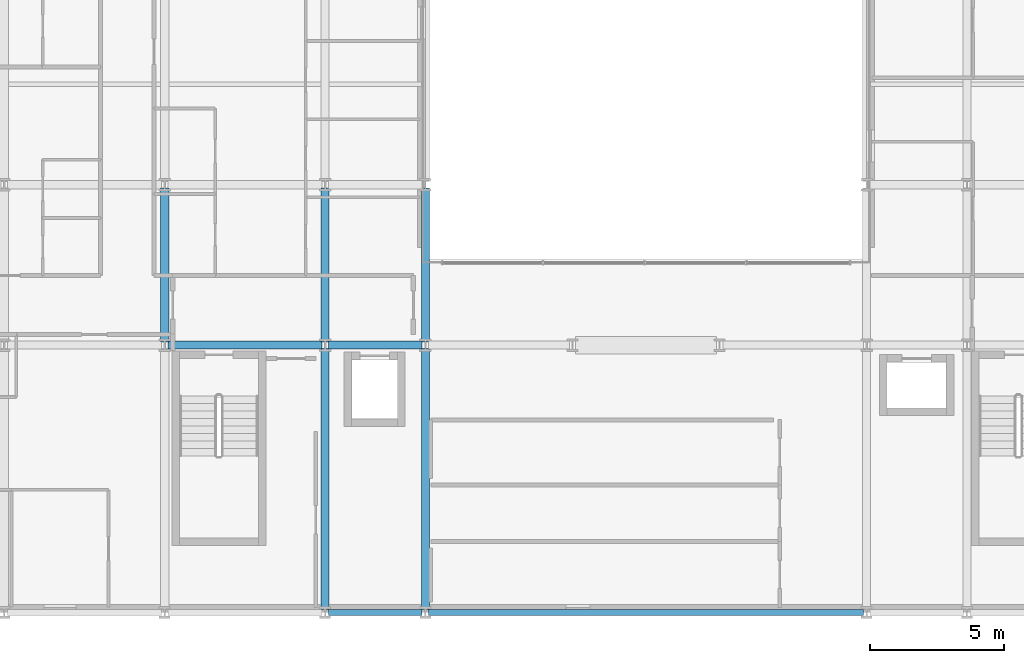
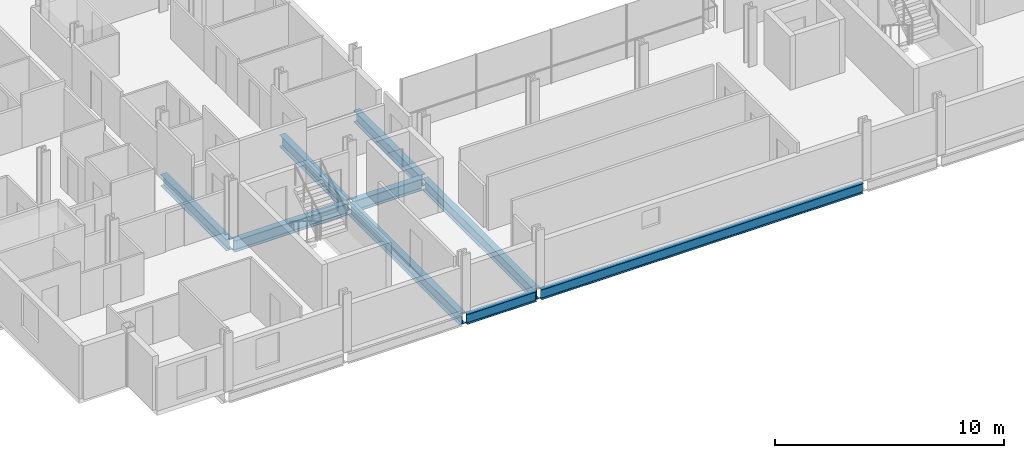
# One storey, part 3 of 38: 9 beams.
"""IFC4 building model written with IfcOpenShell, lengths in metres."""

import ifcopenshell
import ifcopenshell.guid

model = None  # the IFC model being written
_history = None  # IfcOwnerHistory: only IFC2X3 demands one
_inside = {}  # id of a spatial element -> (the spatial element, [elements in it])
_under = {}  # id of a project, library or spatial element -> (it, [spatial elements below it])
_declared = {}  # id of a project -> (the project, [libraries it declares])
_typed = {}  # id of a type object -> (the type object, [elements of that type])
_made_of = {}  # id of a material, layer set ... -> (it, [elements and type objects made of it])


def new_model(schema):
    """Start an empty IFC model of exactly this schema.

    Asked for "IFC4X3", IfcOpenShell would pick the latest addendum, in which some entities
    have other attributes; the version numbers below select the first issue.
    IFC2X3 requires an IfcOwnerHistory on every rooted entity: one is made here for all.
    """
    global model, _history
    if schema == "IFC4X3":
        model = ifcopenshell.file(schema_version=(4, 3, 0, 0))
    else:
        model = ifcopenshell.file(schema=schema)
    _inside.clear()
    _under.clear()
    _declared.clear()
    _typed.clear()
    _made_of.clear()
    _history = None
    if model.schema == "IFC2X3":
        org = make("IfcOrganization", Name="unknown")
        user = make(
            "IfcPersonAndOrganization",
            ThePerson=make("IfcPerson", FamilyName="unknown"),
            TheOrganization=org,
        )
        app = make(
            "IfcApplication",
            ApplicationDeveloper=org,
            Version="unknown",
            ApplicationFullName="unknown",
            ApplicationIdentifier="unknown",
        )
        _history = make(
            "IfcOwnerHistory",
            OwningUser=user,
            OwningApplication=app,
            ChangeAction="ADDED",
            CreationDate=0,
        )
    return model


def make(cls, **values):
    """One entity of the class cls with the attributes given. An attribute that is None is left unset."""
    return model.create_entity(
        cls, **{name: value for name, value in values.items() if value is not None}
    )


def rooted(cls, **values):
    """An entity with a GlobalId (a new one), such as an element, a storey or a relation."""
    return make(cls, GlobalId=ifcopenshell.guid.new(), OwnerHistory=_history, **values)


def si_unit(unit_type, name, prefix=None):
    """IfcSIUnit, for example si_unit("LENGTHUNIT", "METRE", prefix="MILLI")."""
    return make("IfcSIUnit", UnitType=unit_type, Prefix=prefix, Name=name)


def assignment(units):
    """IfcUnitAssignment: the units of a project."""
    return None if units is None else make("IfcUnitAssignment", Units=units)


def point(xyz):
    """IfcCartesianPoint."""
    return None if xyz is None else make("IfcCartesianPoint", Coordinates=xyz)


def direction(xyz):
    """IfcDirection."""
    return None if xyz is None else make("IfcDirection", DirectionRatios=xyz)


def frame(location, z_axis=None, x_axis=None):
    """IfcAxis2Placement3D, a coordinate frame: its origin and axes. An axis left out is left unset."""
    return make(
        "IfcAxis2Placement3D",
        Location=point(location),
        Axis=direction(z_axis),
        RefDirection=direction(x_axis),
    )


def frame_2d(location, x_axis=None):
    """IfcAxis2Placement2D, a coordinate frame in the plane: its origin and x axis."""
    return make(
        "IfcAxis2Placement2D", Location=point(location), RefDirection=direction(x_axis)
    )


def origin():
    """The frame at (0, 0, 0) with its axes left unset."""
    return frame((0.0, 0.0, 0.0))


def origin_2d():
    """The frame at (0, 0) in the plane with its x axis left unset."""
    return frame_2d((0.0, 0.0))


def place(relative_to, where):
    """IfcLocalPlacement: puts the frame where relative to a parent placement (None: the world)."""
    return make(
        "IfcLocalPlacement", PlacementRelTo=relative_to, RelativePlacement=where
    )


def context(
    kind, dimensions, precision=None, world=None, true_north=None, identifier=None
):
    """IfcGeometricRepresentationContext, for example the 3D "Model" context."""
    return make(
        "IfcGeometricRepresentationContext",
        ContextIdentifier=identifier,
        ContextType=kind,
        CoordinateSpaceDimension=dimensions,
        Precision=precision,
        WorldCoordinateSystem=world,
        TrueNorth=true_north,
    )


def subcontext(parent, identifier, kind, view, scale=None):
    """IfcGeometricRepresentationSubContext, for example "Body" below "Model"."""
    return make(
        "IfcGeometricRepresentationSubContext",
        ContextIdentifier=identifier,
        ContextType=kind,
        ParentContext=parent,
        TargetScale=scale,
        TargetView=view,
    )


def project(units=None, contexts=None):
    """IfcProject with its units and contexts."""
    return rooted(
        "IfcProject",
        Name="project",
        RepresentationContexts=contexts,
        UnitsInContext=assignment(units),
    )


def spatial(cls, under=None, at=None, **own):
    """A site, building, storey or space (cls), placed at a placement, below another one or the project."""
    s = rooted(cls, ObjectPlacement=at, **own)
    if under is not None:
        _under.setdefault(under.id(), (under, []))[1].append(s)
    return s


def profile(cls, at=None, kind="AREA", **sizes):
    """A parametric profile (cls). Its sizes go by their IFC names, for example OverallWidth=200.0."""
    return make(cls, ProfileType=kind, Position=at, **sizes)


def i_section(**sizes):
    """IfcIShapeProfileDef."""
    return profile("IfcIShapeProfileDef", **sizes)


def extrude(swept, where, along, depth):
    """IfcExtrudedAreaSolid: the profile swept, set in the frame where, extruded along a direction by depth."""
    return make(
        "IfcExtrudedAreaSolid",
        SweptArea=swept,
        Position=where,
        ExtrudedDirection=direction(along),
        Depth=depth,
    )


def shape(context_of_items, identifier, shape_type, items):
    """IfcShapeRepresentation: the items that make up one representation, for example the "Body"."""
    return make(
        "IfcShapeRepresentation",
        ContextOfItems=context_of_items,
        RepresentationIdentifier=identifier,
        RepresentationType=shape_type,
        Items=items,
    )


def material(Name=None, Category=None):
    """IfcMaterial."""
    return make("IfcMaterial", Name=Name, Category=Category)


def material_profile(
    of_material, cross_section, Name=None, Category=None, Priority=None
):
    """IfcMaterialProfile: a cross section and its material."""
    return make(
        "IfcMaterialProfile",
        Name=Name,
        Material=of_material,
        Profile=cross_section,
        Priority=Priority,
        Category=Category,
    )


def profile_set(profiles, Name=None, composite=None):
    """IfcMaterialProfileSet."""
    return make(
        "IfcMaterialProfileSet",
        Name=Name,
        MaterialProfiles=profiles,
        CompositeProfile=composite,
    )


def made_of(thing, what):
    """Note that an element or type object is made of a material, layer set ...; save() writes the relation."""
    if what is not None:
        _made_of.setdefault(what.id(), (what, []))[1].append(thing)
    return thing


def type_object(cls, material=None, **own):
    """A type object (cls), such as IfcWallType, which elements share."""
    return made_of(rooted(cls, **own), material)


def element(
    cls,
    number,
    at=None,
    inside=None,
    cuts=None,
    type_object=None,
    material=None,
    context=None,
    identifier="Body",
    shape_type=None,
    held_by="IfcProductDefinitionShape",
    body=None,
    shapes=None,
    **own,
):
    """One element of the class cls, such as IfcWall. Its Tag is "e" and its number.

    at: its placement. inside: the storey or other place that contains it. cuts: it is an
    opening in that element (IfcRelVoidsElement). A single representation is given by context,
    identifier, shape_type and body (its items); several are given by shapes. held_by: the class
    of the entity that holds the representations. save() writes the other relations.
    """
    e = rooted(cls, Tag="e%d" % number, ObjectPlacement=at, **own)
    if body is not None:
        shapes = [shape(context, identifier, shape_type, body)]
    if shapes is not None:
        e.Representation = make(held_by, Representations=shapes)
    if inside is not None:
        _inside.setdefault(inside.id(), (inside, []))[1].append(e)
    if cuts is not None:
        rooted(
            "IfcRelVoidsElement", RelatingBuildingElement=cuts, RelatedOpeningElement=e
        )
    if type_object is not None:
        _typed.setdefault(type_object.id(), (type_object, []))[1].append(e)
    return made_of(e, material)


def aggregate(whole, parts):
    """IfcRelAggregates: a whole, such as a stair, and the parts it consists of."""
    return rooted("IfcRelAggregates", RelatingObject=whole, RelatedObjects=parts)


def save(model, path):
    """Write the relations noted so far, then the file.

    IfcRelAggregates (storeys below a building ...), IfcRelContainedInSpatialStructure (elements
    in a storey), IfcRelDefinesByType, IfcRelAssociatesMaterial and IfcRelDeclares: one each for
    every whole, place, type object, material and project.
    """
    for whole, parts in _under.values():
        aggregate(whole, parts)
    for where, things in _inside.values():
        rooted(
            "IfcRelContainedInSpatialStructure",
            RelatedElements=things,
            RelatingStructure=where,
        )
    for kind, things in _typed.values():
        rooted("IfcRelDefinesByType", RelatedObjects=things, RelatingType=kind)
    for what, things in _made_of.values():
        rooted("IfcRelAssociatesMaterial", RelatedObjects=things, RelatingMaterial=what)
    for by, libraries in _declared.values():
        rooted("IfcRelDeclares", RelatingContext=by, RelatedDefinitions=libraries)
    model.write(path)


model = new_model("IFC4")

# Units and contexts
model_context = context("Model", 3, precision=1e-05, world=origin(), true_north=direction((0.0, 1.0)))
body_context = subcontext(model_context, "Body", "Model", "MODEL_VIEW")
ifc_project = project(units=[si_unit("LENGTHUNIT", "METRE"), si_unit("AREAUNIT", "SQUARE_METRE"), si_unit("VOLUMEUNIT", "CUBIC_METRE"), si_unit("PLANEANGLEUNIT", "RADIAN"), si_unit("MASSUNIT", "GRAM", prefix="KILO")], contexts=[model_context])

# Site, building, storey
site_placement = place(None, origin())
site = spatial("IfcSite", under=ifc_project, at=site_placement, CompositionType="ELEMENT")
building_placement = place(site_placement, origin())
building = spatial("IfcBuilding", under=site, at=building_placement, Name="Brevholm Reach", CompositionType="ELEMENT")
storey_placement = place(building_placement, frame((0.0, 0.0, 59.0)))
storey = spatial("IfcBuildingStorey", under=building, at=storey_placement, Name="L16", CompositionType="ELEMENT", Elevation=59.0)

# Beams
ifc_material_1 = material(Name="Structural Steel S355J2", Category="steel")
ifc_material_profile_1 = material_profile(ifc_material_1, i_section(OverallWidth=0.210693359375, OverallDepth=0.53955078125, WebThickness=0.01171875, FlangeThickness=0.018798828125, FilletRadius=0.0126953125, at=origin_2d()), Name="UKB 533x210x109")
ifc_profile_set_1 = profile_set([ifc_material_profile_1], Name="Structural Steel S355J2")
beam_type_1 = type_object("IfcBeamType", Name="BM-SP539", PredefinedType="SPANDREL", material=ifc_profile_set_1)
beam_1_placement = place(storey_placement, frame((18.1201171875, 0.0, -0.499755859375), z_axis=(1.0, 0.0, 0.0), x_axis=(0.0, 1.0, 0.0)))
element("IfcBeam", 1, at=beam_1_placement, inside=storey, type_object=beam_type_1, Name="L16 SP-01B Framing Beam", PredefinedType="SPANDREL", context=body_context, shape_type="SweptSolid", body=[
    extrude(i_section(OverallWidth=0.210693359375, OverallDepth=0.53955078125, WebThickness=0.01171875, FlangeThickness=0.018798828125, FilletRadius=0.0126953125, at=origin_2d()), origin(), (0.0, 0.0, 1.0), 3.509765625),
])
beam_2_placement = place(storey_placement, frame((21.8701171875, 0.0, -0.499755859375), z_axis=(1.0, 0.0, 0.0), x_axis=(0.0, 1.0, 0.0)))
element("IfcBeam", 2, at=beam_2_placement, inside=storey, type_object=beam_type_1, Name="L16 SP-01B Framing Beam", PredefinedType="SPANDREL", context=body_context, shape_type="SweptSolid", body=[
    extrude(i_section(OverallWidth=0.210693359375, OverallDepth=0.53955078125, WebThickness=0.01171875, FlangeThickness=0.018798828125, FilletRadius=0.0126953125, at=origin_2d()), origin(), (0.0, 0.0, 1.0), 16.259765625),
])
ifc_material_2 = material(Name="Structural Steel S355J2", Category="steel")
ifc_material_profile_2 = material_profile(ifc_material_2, i_section(OverallWidth=0.30712890625, OverallDepth=0.6201171875, WebThickness=0.01416015625, FlangeThickness=0.023681640625, FilletRadius=0.0166015625, at=origin_2d()), Name="UKB 610x305x179")
ifc_profile_set_2 = profile_set([ifc_material_profile_2], Name="Structural Steel S355J2")
beam_type_2 = type_object("IfcBeamType", Name="BM-UKB610H", PredefinedType="USERDEFINED", material=ifc_profile_set_2)
beam_3_placement = place(storey_placement, frame((12.1201171875, 10.0, -0.5400390625), z_axis=(1.0, 0.0, 0.0), x_axis=(0.0, 1.0, 0.0)))
element("IfcBeam", 3, at=beam_3_placement, inside=storey, type_object=beam_type_2, Name="L16 G-06 Framing Beam", ObjectType="GIRDER", PredefinedType="USERDEFINED", context=body_context, shape_type="SweptSolid", body=[
    extrude(i_section(OverallWidth=0.30712890625, OverallDepth=0.6201171875, WebThickness=0.01416015625, FlangeThickness=0.023681640625, FilletRadius=0.0166015625, at=origin_2d()), origin(), (0.0, 0.0, 1.0), 5.759765625),
])
beam_4_placement = place(storey_placement, frame((18.1201171875, 10.0, -0.5400390625), z_axis=(1.0, 0.0, 0.0), x_axis=(0.0, 1.0, 0.0)))
element("IfcBeam", 4, at=beam_4_placement, inside=storey, type_object=beam_type_2, Name="L16 G-06 Framing Beam", ObjectType="GIRDER", PredefinedType="USERDEFINED", context=body_context, shape_type="SweptSolid", body=[
    extrude(i_section(OverallWidth=0.30712890625, OverallDepth=0.6201171875, WebThickness=0.01416015625, FlangeThickness=0.023681640625, FilletRadius=0.0166015625, at=origin_2d()), origin(), (0.0, 0.0, 1.0), 3.509765625),
])
beam_5_placement = place(storey_placement, frame((12.0, 10.1201171875, -0.5400390625), z_axis=(0.0, 1.0, 0.0), x_axis=(-1.0, 0.0, 0.0)))
element("IfcBeam", 5, at=beam_5_placement, inside=storey, type_object=beam_type_2, Name="L16 G-06 Framing Beam", ObjectType="GIRDER", PredefinedType="USERDEFINED", context=body_context, shape_type="SweptSolid", body=[
    extrude(i_section(OverallWidth=0.30712890625, OverallDepth=0.6201171875, WebThickness=0.01416015625, FlangeThickness=0.023681640625, FilletRadius=0.0166015625, at=origin_2d()), origin(), (0.0, 0.0, 1.0), 5.759765625),
])
beam_6_placement = place(storey_placement, frame((18.0, 0.1201171875, -0.5400390625), z_axis=(0.0, 1.0, 0.0), x_axis=(-1.0, 0.0, 0.0)))
element("IfcBeam", 6, at=beam_6_placement, inside=storey, type_object=beam_type_2, Name="L16 G-06 Framing Beam", ObjectType="GIRDER", PredefinedType="USERDEFINED", context=body_context, shape_type="SweptSolid", body=[
    extrude(i_section(OverallWidth=0.30712890625, OverallDepth=0.6201171875, WebThickness=0.01416015625, FlangeThickness=0.023681640625, FilletRadius=0.0166015625, at=origin_2d()), origin(), (0.0, 0.0, 1.0), 9.759765625),
])
beam_7_placement = place(storey_placement, frame((18.0, 10.1201171875, -0.5400390625), z_axis=(0.0, 1.0, 0.0), x_axis=(-1.0, 0.0, 0.0)))
element("IfcBeam", 7, at=beam_7_placement, inside=storey, type_object=beam_type_2, Name="L16 G-06 Framing Beam", ObjectType="GIRDER", PredefinedType="USERDEFINED", context=body_context, shape_type="SweptSolid", body=[
    extrude(i_section(OverallWidth=0.30712890625, OverallDepth=0.6201171875, WebThickness=0.01416015625, FlangeThickness=0.023681640625, FilletRadius=0.0166015625, at=origin_2d()), origin(), (0.0, 0.0, 1.0), 5.759765625),
])
beam_8_placement = place(storey_placement, frame((21.75, 0.1201171875, -0.5400390625), z_axis=(0.0, 1.0, 0.0), x_axis=(-1.0, 0.0, 0.0)))
element("IfcBeam", 8, at=beam_8_placement, inside=storey, type_object=beam_type_2, Name="L16 G-06 Framing Beam", ObjectType="GIRDER", PredefinedType="USERDEFINED", context=body_context, shape_type="SweptSolid", body=[
    extrude(i_section(OverallWidth=0.30712890625, OverallDepth=0.6201171875, WebThickness=0.01416015625, FlangeThickness=0.023681640625, FilletRadius=0.0166015625, at=origin_2d()), origin(), (0.0, 0.0, 1.0), 9.759765625),
])
beam_9_placement = place(storey_placement, frame((21.75, 10.1201171875, -0.5400390625), z_axis=(0.0, 1.0, 0.0), x_axis=(-1.0, 0.0, 0.0)))
element("IfcBeam", 9, at=beam_9_placement, inside=storey, type_object=beam_type_2, Name="L16 G-06 Framing Beam", ObjectType="GIRDER", PredefinedType="USERDEFINED", context=body_context, shape_type="SweptSolid", body=[
    extrude(i_section(OverallWidth=0.30712890625, OverallDepth=0.6201171875, WebThickness=0.01416015625, FlangeThickness=0.023681640625, FilletRadius=0.0166015625, at=origin_2d()), origin(), (0.0, 0.0, 1.0), 5.759765625),
])

save(model, "model.ifc")
